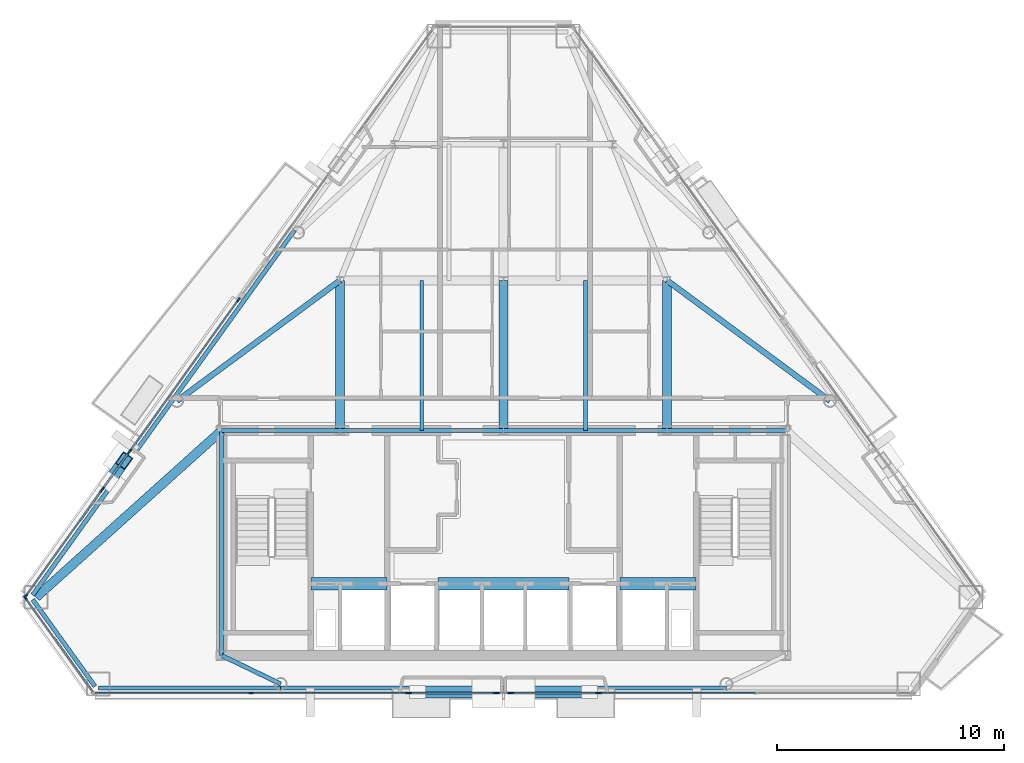
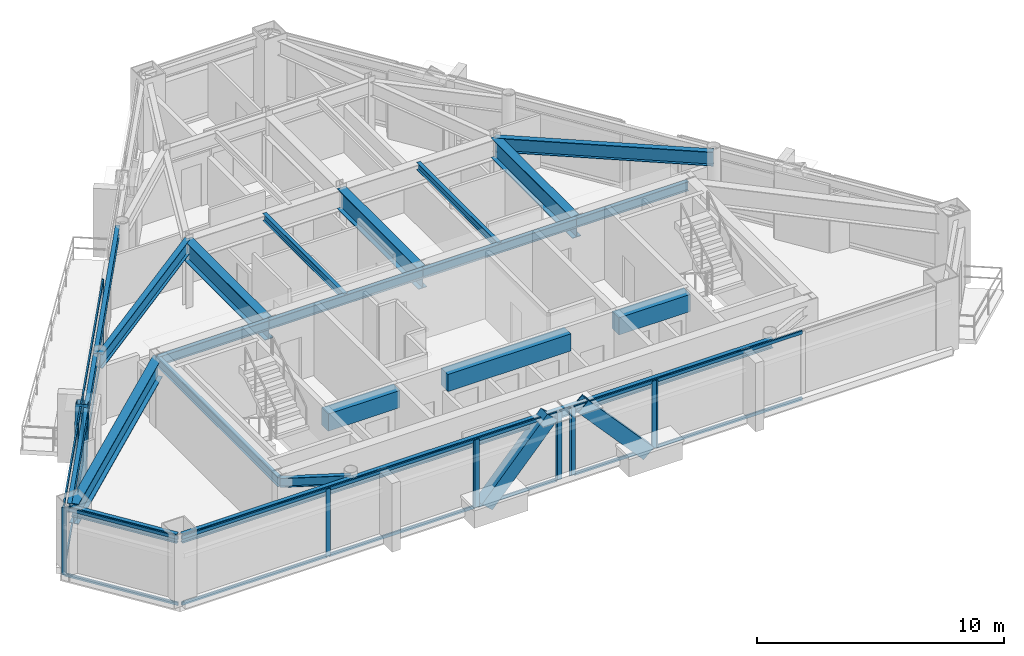
# One storey, part 3 of 12: 37 members, 22 beams, 9 elements without a shape of their own.
"""IFC4 building model written with IfcOpenShell, lengths in metres."""

from ifc_helpers import new_model, si_unit, direction, frame, origin, origin_2d, place, context, subcontext, project, spatial, rectangle, hollow_rectangle, i_section, extrude, material, layer, layer_set, material_profile, profile_set, type_object, element, aggregate, save


model = new_model("IFC4")

# Units and contexts
model_context = context("Model", 3, precision=1e-05, world=origin(), true_north=direction((0.0, 1.0)))
body_context = subcontext(model_context, "Body", "Model", "MODEL_VIEW")
ifc_project = project(units=[si_unit("LENGTHUNIT", "METRE"), si_unit("AREAUNIT", "SQUARE_METRE"), si_unit("VOLUMEUNIT", "CUBIC_METRE"), si_unit("PLANEANGLEUNIT", "RADIAN"), si_unit("MASSUNIT", "GRAM", prefix="KILO")], contexts=[model_context])

# Site, building, storey
site_placement = place(None, origin())
site = spatial("IfcSite", under=ifc_project, at=site_placement, CompositionType="ELEMENT")
building_placement = place(site_placement, origin())
building = spatial("IfcBuilding", under=site, at=building_placement, Name="Talgorran Terracotta Tower", CompositionType="ELEMENT")
storey_placement = place(building_placement, frame((0.0, 0.0, 221.699951171875)))
storey = spatial("IfcBuildingStorey", under=building, at=storey_placement, Name="L58", CompositionType="ELEMENT", Elevation=221.699951171875)

# Beams
ifc_material_1 = material(Name="Steel Grade 350 (350L0)", Category="steel")
ifc_material_profile_1 = material_profile(ifc_material_1, i_section(OverallWidth=0.39990234375, OverallDepth=1.0, WebThickness=0.01611328125, FlangeThickness=0.031005859375, at=origin_2d()), Name="1000WB296")
ifc_profile_set_1 = profile_set([ifc_material_profile_1], Name="Steel Grade 350 (350L0)")
beam_type_1 = type_object("IfcBeamType", Name="BM_1000WB296", PredefinedType="BEAM", material=ifc_profile_set_1)
for number, where, z_axis, x_axis, name in (
    (1, (-7.199951171875, -4.199951171875, 2.844970703125), (0.0, 1.0, 0.0), (-1.0, 0.0, 0.0), "L58 Floor Girder G01"),
    (2, (0.0, -4.199951171875, 2.844970703125), (0.0, 1.0, 0.0), (-1.0, 0.0, 0.0), "L58 Floor Girder G02"),
    (3, (7.199951171875, -4.199951171875, 2.844970703125), (0.0, 1.0, 0.0), (-1.0, 0.0, 0.0), "L58 Floor Girder G03"),
):
    element("IfcBeam", number, at=place(storey_placement, frame(where, z_axis=z_axis, x_axis=x_axis)), inside=storey, type_object=beam_type_1, Name=name, PredefinedType="BEAM", context=body_context, shape_type="SweptSolid", body=[
        extrude(i_section(OverallWidth=0.39990234375, OverallDepth=1.0, WebThickness=0.01611328125, FlangeThickness=0.031005859375, at=origin_2d()), origin(), (0.0, 0.0, 1.0), 6.599853515625),
    ])
beam_1_placement = place(storey_placement, frame((-12.39990234375, -4.199951171875, 2.844970703125), z_axis=(-0.743768255752, -0.668437567567, 0.0), x_axis=(0.668437567567, -0.743768255752, 0.0)))
element("IfcBeam", 4, at=beam_1_placement, inside=storey, type_object=beam_type_1, Name="L58 Floor Girder G17", PredefinedType="BEAM", context=body_context, shape_type="SweptSolid", body=[
    extrude(i_section(OverallWidth=0.39990234375, OverallDepth=1.0, WebThickness=0.01611328125, FlangeThickness=0.031005859375, at=origin_2d()), origin(), (0.0, 0.0, 1.0), 10.980224609375),
])
ifc_material_2 = material(Name="Steel S355 (300PLUS)", Category="steel")
ifc_material_profile_2 = material_profile(ifc_material_2, i_section(OverallWidth=0.25, OverallDepth=0.699951171875, WebThickness=0.011962890625, FlangeThickness=0.02392578125, at=origin_2d()), Name="700WB150")
ifc_profile_set_2 = profile_set([ifc_material_profile_2], Name="Steel S355 (300PLUS)")
beam_type_2 = type_object("IfcBeamType", Name="BM_700WB150", PredefinedType="BEAM", material=ifc_profile_set_2)
for number, where, z_axis, x_axis, name in (
    (5, (-7.199951171875, 2.39990234375, 2.9951171875), (-0.804042856359, -0.594571345708, 0.0), (0.594571345708, -0.804042856359, 0.0), "L58 Floor Girder G06"),
    (6, (7.199951171875, 2.39990234375, 2.9951171875), (0.804042856359, -0.594571345708, 0.0), (0.594571345708, 0.804042856359, 0.0), "L58 Floor Girder G07"),
):
    element("IfcBeam", number, at=place(storey_placement, frame(where, z_axis=z_axis, x_axis=x_axis)), inside=storey, type_object=beam_type_2, Name=name, PredefinedType="BEAM", context=body_context, shape_type="SweptSolid", body=[
        extrude(i_section(OverallWidth=0.25, OverallDepth=0.699951171875, WebThickness=0.011962890625, FlangeThickness=0.02392578125, at=origin_2d()), origin(), (0.0, 0.0, 1.0), 8.9091796875),
    ])
ifc_material_3 = material(Name="Concrete C50/60", Category="concrete")
ifc_material_profile_3 = material_profile(ifc_material_3, rectangle(XDim=0.550048828125, YDim=0.85009765625, at=origin_2d()), Name="RCCB550X850")
ifc_profile_set_3 = profile_set([ifc_material_profile_3], Name="Concrete C50/60")
beam_type_3 = type_object("IfcBeamType", Name="BM_CB_550X850", PredefinedType="LINTEL", material=ifc_profile_set_3)
beam_2_placement = place(storey_placement, frame((-8.47998046875, -10.949951171875, 2.920166015625), z_axis=(1.0, 0.0, 0.0), x_axis=(0.0, 1.0, 0.0)))
element("IfcBeam", 7, at=beam_2_placement, inside=storey, type_object=beam_type_3, Name="L58 Core Shear-Wall Coupling Beam CB1", PredefinedType="LINTEL", context=body_context, shape_type="SweptSolid", body=[
    extrude(rectangle(XDim=0.550048828125, YDim=0.85009765625, at=origin_2d()), origin(), (0.0, 0.0, 1.0), 3.35986328125),
])
beam_3_placement = place(storey_placement, frame((-2.8798828125, -10.949951171875, 2.920166015625), z_axis=(1.0, 0.0, 0.0), x_axis=(0.0, 1.0, 0.0)))
element("IfcBeam", 8, at=beam_3_placement, inside=storey, type_object=beam_type_3, Name="L58 Core Shear-Wall Coupling Beam CB2", PredefinedType="LINTEL", context=body_context, shape_type="SweptSolid", body=[
    extrude(rectangle(XDim=0.550048828125, YDim=0.85009765625, at=origin_2d()), origin(), (0.0, 0.0, 1.0), 5.759765625),
])
beam_4_placement = place(storey_placement, frame((5.1201171875, -10.949951171875, 2.920166015625), z_axis=(1.0, 0.0, 0.0), x_axis=(0.0, 1.0, 0.0)))
element("IfcBeam", 9, at=beam_4_placement, inside=storey, type_object=beam_type_3, Name="L58 Core Shear-Wall Coupling Beam CB3", PredefinedType="LINTEL", context=body_context, shape_type="SweptSolid", body=[
    extrude(rectangle(XDim=0.550048828125, YDim=0.85009765625, at=origin_2d()), origin(), (0.0, 0.0, 1.0), 3.35986328125),
])
ifc_material_profile_4 = material_profile(ifc_material_2, i_section(OverallWidth=0.17138671875, OverallDepth=0.355712890625, WebThickness=0.00732421875, FlangeThickness=0.011474609375, at=origin_2d()), Name="360UB50.7")
ifc_profile_set_4 = profile_set([ifc_material_profile_4], Name="Steel S355 (300PLUS)")
beam_type_4 = type_object("IfcBeamType", Name="BM_JS_360UB51", PredefinedType="JOIST", material=ifc_profile_set_4)
for number, where, z_axis, x_axis, name in (
    (10, (-3.60009765625, -4.199951171875, 3.167236328125), (0.0, 1.0, 0.0), (-1.0, 0.0, 0.0), "L58 Secondary Joist J01"),
    (11, (3.60009765625, -4.199951171875, 3.167236328125), (0.0, 1.0, 0.0), (-1.0, 0.0, 0.0), "L58 Secondary Joist J02"),
):
    element("IfcBeam", number, at=place(storey_placement, frame(where, z_axis=z_axis, x_axis=x_axis)), inside=storey, type_object=beam_type_4, Name=name, PredefinedType="JOIST", context=body_context, shape_type="SweptSolid", body=[
        extrude(i_section(OverallWidth=0.17138671875, OverallDepth=0.355712890625, WebThickness=0.00732421875, FlangeThickness=0.011474609375, at=origin_2d()), origin(), (0.0, 0.0, 1.0), 6.599853515625),
    ])
ifc_material_profile_5 = material_profile(ifc_material_2, i_section(OverallWidth=0.18994140625, OverallDepth=0.45703125, WebThickness=0.009033203125, FlangeThickness=0.014404296875, at=origin_2d()), Name="460UB74.6")
ifc_profile_set_5 = profile_set([ifc_material_profile_5], Name="Steel S355 (300PLUS)")
beam_type_5 = type_object("IfcBeamType", Name="BM_SP_460UB74", PredefinedType="SPANDREL", material=ifc_profile_set_5)
beam_5_placement = place(storey_placement, frame((-20.712890625, -11.64453125, 3.116455078125), z_axis=(0.583096756271, -0.812402715915, 0.0), x_axis=(0.812402715915, 0.583096756271, 0.0)))
element("IfcBeam", 12, at=beam_5_placement, inside=storey, type_object=beam_type_5, Name="L58 Perimeter Spandrel Beam MC1-MC2", PredefinedType="SPANDREL", context=body_context, shape_type="SweptSolid", body=[
    extrude(i_section(OverallWidth=0.18994140625, OverallDepth=0.45703125, WebThickness=0.009033203125, FlangeThickness=0.014404296875, at=origin_2d()), origin(), (0.0, 0.0, 1.0), 4.693115234375),
])
beam_6_placement = place(storey_placement, frame((-17.830078125, -15.5322265625, 3.116455078125), z_axis=(1.0, 0.0, 0.0), x_axis=(0.0, 1.0, 0.0)))
element("IfcBeam", 13, at=beam_6_placement, inside=storey, type_object=beam_type_5, Name="L58 Perimeter Spandrel Beam MC2-FC1", PredefinedType="SPANDREL", context=body_context, shape_type="SweptSolid", body=[
    extrude(i_section(OverallWidth=0.18994140625, OverallDepth=0.45703125, WebThickness=0.009033203125, FlangeThickness=0.014404296875, at=origin_2d()), origin(), (0.0, 0.0, 1.0), 8.0234375),
])
beam_7_placement = place(storey_placement, frame((-9.806640625, -15.5322265625, 3.116455078125), z_axis=(1.0, 0.0, 0.0), x_axis=(0.0, 1.0, 0.0)))
element("IfcBeam", 14, at=beam_7_placement, inside=storey, type_object=beam_type_5, Name="L58 Perimeter Spandrel Beam FC1-FC2", PredefinedType="SPANDREL", context=body_context, shape_type="SweptSolid", body=[
    extrude(i_section(OverallWidth=0.18994140625, OverallDepth=0.45703125, WebThickness=0.009033203125, FlangeThickness=0.014404296875, at=origin_2d()), origin(), (0.0, 0.0, 1.0), 19.61328125),
])
beam_8_placement = place(storey_placement, frame((-9.192626953125, 4.615478515625, 3.116455078125), z_axis=(-0.583100770976, -0.812399834372, 0.0), x_axis=(0.812399834372, -0.583100770976, 0.0)))
element("IfcBeam", 15, at=beam_8_placement, inside=storey, type_object=beam_type_5, Name="L58 Perimeter Spandrel Beam FC5-FC6", PredefinedType="SPANDREL", context=body_context, shape_type="SweptSolid", body=[
    extrude(i_section(OverallWidth=0.18994140625, OverallDepth=0.45703125, WebThickness=0.009033203125, FlangeThickness=0.014404296875, at=origin_2d()), origin(), (0.0, 0.0, 1.0), 9.118408203125),
])
beam_9_placement = place(storey_placement, frame((-14.509521484375, -2.792236328125, 3.116455078125), z_axis=(-0.583120966057, -0.812385338953, 0.0), x_axis=(0.812385338953, -0.583120966057, 0.0)))
element("IfcBeam", 16, at=beam_9_placement, inside=storey, type_object=beam_type_5, Name="L58 Perimeter Spandrel Beam FC6-MC1", PredefinedType="SPANDREL", context=body_context, shape_type="SweptSolid", body=[
    extrude(i_section(OverallWidth=0.18994140625, OverallDepth=0.45703125, WebThickness=0.009033203125, FlangeThickness=0.014404296875, at=origin_2d()), origin(), (0.0, 0.0, 1.0), 10.63818359375),
])
beam_10_placement = place(storey_placement, frame((-9.806640625, -15.352294921875, 3.116455078125), z_axis=(-0.900513862936, 0.434827302109, 0.0), x_axis=(-0.434827302109, -0.900513862936, 0.0)))
element("IfcBeam", 17, at=beam_10_placement, inside=storey, type_object=beam_type_5, Name="L58 South-West Core Tie Beam", PredefinedType="SPANDREL", context=body_context, shape_type="SweptSolid", body=[
    extrude(i_section(OverallWidth=0.18994140625, OverallDepth=0.45703125, WebThickness=0.009033203125, FlangeThickness=0.014404296875, at=origin_2d()), origin(), (0.0, 0.0, 1.0), 2.879638671875),
])
beam_11_placement = place(storey_placement, frame((-12.39990234375, -14.10009765625, 3.116455078125), z_axis=(0.0, 1.0, 0.0), x_axis=(-1.0, 0.0, 0.0)))
element("IfcBeam", 18, at=beam_11_placement, inside=storey, type_object=beam_type_5, Name="L58 Core Frame Beam CFW", PredefinedType="SPANDREL", context=body_context, shape_type="SweptSolid", body=[
    extrude(i_section(OverallWidth=0.18994140625, OverallDepth=0.45703125, WebThickness=0.009033203125, FlangeThickness=0.014404296875, at=origin_2d()), origin(), (0.0, 0.0, 1.0), 9.900146484375),
])
beam_12_placement = place(storey_placement, frame((-12.39990234375, -4.199951171875, 3.116455078125), z_axis=(1.0, 0.0, 0.0), x_axis=(0.0, 1.0, 0.0)))
element("IfcBeam", 19, at=beam_12_placement, inside=storey, type_object=beam_type_5, Name="L58 Core Frame Beam CFN1", PredefinedType="SPANDREL", context=body_context, shape_type="SweptSolid", body=[
    extrude(i_section(OverallWidth=0.18994140625, OverallDepth=0.45703125, WebThickness=0.009033203125, FlangeThickness=0.014404296875, at=origin_2d()), origin(), (0.0, 0.0, 1.0), 5.199951171875),
])
for number, where, z_axis, x_axis, name in (
    (20, (-7.199951171875, -4.199951171875, 3.116455078125), (1.0, 0.0, 0.0), (0.0, 1.0, 0.0), "L58 Core Frame Beam CFN2"),
    (21, (0.0, -4.199951171875, 3.116455078125), (1.0, 0.0, 0.0), (0.0, 1.0, 0.0), "L58 Core Frame Beam CFN3"),
):
    element("IfcBeam", number, at=place(storey_placement, frame(where, z_axis=z_axis, x_axis=x_axis)), inside=storey, type_object=beam_type_5, Name=name, PredefinedType="SPANDREL", context=body_context, shape_type="SweptSolid", body=[
        extrude(i_section(OverallWidth=0.18994140625, OverallDepth=0.45703125, WebThickness=0.009033203125, FlangeThickness=0.014404296875, at=origin_2d()), origin(), (0.0, 0.0, 1.0), 7.199951171875),
    ])
beam_13_placement = place(storey_placement, frame((7.199951171875, -4.199951171875, 3.116455078125), z_axis=(1.0, 0.0, 0.0), x_axis=(0.0, 1.0, 0.0)))
element("IfcBeam", 22, at=beam_13_placement, inside=storey, type_object=beam_type_5, Name="L58 Core Frame Beam CFN4", PredefinedType="SPANDREL", context=body_context, shape_type="SweptSolid", body=[
    extrude(i_section(OverallWidth=0.18994140625, OverallDepth=0.45703125, WebThickness=0.009033203125, FlangeThickness=0.014404296875, at=origin_2d()), origin(), (0.0, 0.0, 1.0), 5.199951171875),
])

# Members
ifc_material_profile_6 = material_profile(ifc_material_1, hollow_rectangle(XDim=0.52001953125, YDim=0.659912109375, WallThickness=0.034912109375, at=origin_2d()), Name="WBOX660X520X35")
ifc_profile_set_6 = profile_set([ifc_material_profile_6], Name="Steel Grade 350 (350L0)")
member_type_1 = type_object("IfcMemberType", Name="MB_MEGA_660", PredefinedType="BRACE", material=ifc_profile_set_6)
for number, where, z_axis, x_axis, name in (
    (23, (-3.783203125, -15.712158203125, -0.02490234375), (0.669808027282, 0.0, 0.742534313408), (0.0, 1.0, 0.0), "L58 Exterior Face Mega-Brace MB-3 (SWF)"),
    (24, (3.783203125, -15.712158203125, -0.02490234375), (-0.669808027282, 0.0, 0.742534313408), (0.0, -1.0, 0.0), "L58 Exterior Face Mega-Brace MB-3 (SEF)"),
):
    element("IfcMember", number, at=place(storey_placement, frame(where, z_axis=z_axis, x_axis=x_axis)), inside=storey, type_object=member_type_1, Name=name, PredefinedType="BRACE", context=body_context, shape_type="SweptSolid", body=[
        extrude(hollow_rectangle(XDim=0.52001953125, YDim=0.659912109375, WallThickness=0.034912109375, at=origin_2d()), origin(), (0.0, 0.0, 1.0), 4.572265625),
    ])
member_1_placement = place(storey_placement, frame((-17.359619140625, -6.453857421875, -0.02490234375), z_axis=(0.185817679429, 0.258754186029, 0.947901925952), x_axis=(-0.812256146727, 0.583300910426, 0.0)))
element("IfcMember", 25, at=member_1_placement, inside=storey, type_object=member_type_1, Name="L58 Exterior Face Mega-Brace MB-3 (NWL)", PredefinedType="BRACE", context=body_context, shape_type="SweptSolid", body=[
    extrude(hollow_rectangle(XDim=0.52001953125, YDim=0.659912109375, WallThickness=0.034912109375, at=origin_2d()), origin(), (0.0, 0.0, 1.0), 3.58154296875),
])

# Curtain wall, member
ifc_material_4 = material(Name="High-Wind Unitised Glazing", Category="glass")
ifc_layer = layer(ifc_material_4, 0.2099609375, Name="CW_SYS3_RES_HIGH")
ifc_layer_set = layer_set([ifc_layer], Name="High-Wind Unitised Glazing")
curtain_wall_type = type_object("IfcCurtainWallType", Name="CW_SYS3_RES_HIGH", PredefinedType="NOTDEFINED", material=ifc_layer_set)
curtain_wall_1_placement = place(storey_placement, origin())
curtain_wall_1 = element("IfcCurtainWall", 26, at=curtain_wall_1_placement, inside=storey, type_object=curtain_wall_type, Name="CW-L58-F0", PredefinedType="NOTDEFINED")
ifc_material_5 = material(Name="Architectural Aluminium 6063-T6", Category="aluminium")
ifc_material_profile_7 = material_profile(ifc_material_5, rectangle(XDim=0.070068359375, YDim=0.199951171875, at=origin_2d()), Name="CWM70X200")
ifc_profile_set_7 = profile_set([ifc_material_profile_7], Name="Architectural Aluminium 6063-T6")
member_type_2 = type_object("IfcMemberType", Name="MUL_70X200", PredefinedType="MULLION", material=ifc_profile_set_7)
member_2_placement = place(storey_placement, frame((-21.03857421875, -11.568115234375, 0.0), z_axis=(0.0, 0.0, 1.0), x_axis=(0.812390492916, 0.583113785654, 0.0)))
member_2 = element("IfcMember", 27, at=member_2_placement, type_object=member_type_2, Name="CW-L58-0 mullion 1", PredefinedType="MULLION", context=body_context, shape_type="SweptSolid", body=[
    extrude(rectangle(XDim=0.070068359375, YDim=0.199951171875, at=origin_2d()), origin(), (0.0, 0.0, 1.0), 3.344970703125),
])

# Curtain wall, members
curtain_wall_2_placement = place(storey_placement, origin())
curtain_wall_2 = element("IfcCurtainWall", 28, at=curtain_wall_2_placement, inside=storey, type_object=curtain_wall_type, Name="CW-L58-F1", PredefinedType="NOTDEFINED")
member_3_placement = place(storey_placement, frame((-11.109130859375, -15.752197265625, 0.0), z_axis=(0.0, 0.0, 1.0), x_axis=(0.0, 1.0, 0.0)))
member_3 = element("IfcMember", 29, at=member_3_placement, type_object=member_type_2, Name="CW-L58-1 mullion 2", PredefinedType="MULLION", context=body_context, shape_type="SweptSolid", body=[
    extrude(rectangle(XDim=0.070068359375, YDim=0.199951171875, at=origin_2d()), origin(), (0.0, 0.0, 1.0), 3.344970703125),
])
member_4_placement = place(storey_placement, frame((-4.218017578125, -15.752197265625, 0.0), z_axis=(0.0, 0.0, 1.0), x_axis=(0.0, 1.0, 0.0)))
member_4 = element("IfcMember", 30, at=member_4_placement, type_object=member_type_2, Name="CW-L58-1 mullion 3", PredefinedType="MULLION", context=body_context, shape_type="SweptSolid", body=[
    extrude(rectangle(XDim=0.070068359375, YDim=0.199951171875, at=origin_2d()), origin(), (0.0, 0.0, 1.0), 3.344970703125),
])

curtain_wall_3_placement = place(storey_placement, origin())
curtain_wall_3 = element("IfcCurtainWall", 31, at=curtain_wall_3_placement, inside=storey, type_object=curtain_wall_type, Name="CW-L58-F1B", PredefinedType="NOTDEFINED")
member_5_placement = place(storey_placement, frame((-4.13818359375, -15.752197265625, 0.0), z_axis=(0.0, 0.0, 1.0), x_axis=(0.0, 1.0, 0.0)))
member_5 = element("IfcMember", 32, at=member_5_placement, type_object=member_type_2, Name="CW-L58-1B mullion 1", PredefinedType="MULLION", context=body_context, shape_type="SweptSolid", body=[
    extrude(rectangle(XDim=0.070068359375, YDim=0.199951171875, at=origin_2d()), origin(), (0.0, 0.0, 1.0), 3.344970703125),
])
member_6_placement = place(storey_placement, frame((-0.365478515625, -15.752197265625, 0.0), z_axis=(0.0, 0.0, 1.0), x_axis=(0.0, 1.0, 0.0)))
member_6 = element("IfcMember", 33, at=member_6_placement, type_object=member_type_2, Name="CW-L58-1B mullion 2", PredefinedType="MULLION", context=body_context, shape_type="SweptSolid", body=[
    extrude(rectangle(XDim=0.070068359375, YDim=0.199951171875, at=origin_2d()), origin(), (0.0, 0.0, 1.0), 3.344970703125),
])

curtain_wall_4_placement = place(storey_placement, origin())
curtain_wall_4 = element("IfcCurtainWall", 34, at=curtain_wall_4_placement, inside=storey, type_object=curtain_wall_type, Name="CW-L58-F1C", PredefinedType="NOTDEFINED")
member_7_placement = place(storey_placement, frame((-0.28564453125, -15.752197265625, 0.0), z_axis=(0.0, 0.0, 1.0), x_axis=(0.0, 1.0, 0.0)))
member_7 = element("IfcMember", 35, at=member_7_placement, type_object=member_type_2, Name="CW-L58-1C mullion 1", PredefinedType="MULLION", context=body_context, shape_type="SweptSolid", body=[
    extrude(rectangle(XDim=0.070068359375, YDim=0.199951171875, at=origin_2d()), origin(), (0.0, 0.0, 1.0), 3.344970703125),
])
member_8_placement = place(storey_placement, frame((0.28564453125, -15.752197265625, 0.0), z_axis=(0.0, 0.0, 1.0), x_axis=(0.0, 1.0, 0.0)))
member_8 = element("IfcMember", 36, at=member_8_placement, type_object=member_type_2, Name="CW-L58-1C mullion 2", PredefinedType="MULLION", context=body_context, shape_type="SweptSolid", body=[
    extrude(rectangle(XDim=0.070068359375, YDim=0.199951171875, at=origin_2d()), origin(), (0.0, 0.0, 1.0), 3.344970703125),
])
aggregate(curtain_wall_4, [member_7, member_8])

curtain_wall_5_placement = place(storey_placement, origin())
curtain_wall_5 = element("IfcCurtainWall", 37, at=curtain_wall_5_placement, inside=storey, type_object=curtain_wall_type, Name="CW-L58-F1D", PredefinedType="NOTDEFINED")
member_9_placement = place(storey_placement, frame((0.365478515625, -15.752197265625, 0.0), z_axis=(0.0, 0.0, 1.0), x_axis=(0.0, 1.0, 0.0)))
member_9 = element("IfcMember", 38, at=member_9_placement, type_object=member_type_2, Name="CW-L58-1D mullion 1", PredefinedType="MULLION", context=body_context, shape_type="SweptSolid", body=[
    extrude(rectangle(XDim=0.070068359375, YDim=0.199951171875, at=origin_2d()), origin(), (0.0, 0.0, 1.0), 3.344970703125),
])
member_10_placement = place(storey_placement, frame((4.13818359375, -15.752197265625, 0.0), z_axis=(0.0, 0.0, 1.0), x_axis=(0.0, 1.0, 0.0)))
member_10 = element("IfcMember", 39, at=member_10_placement, type_object=member_type_2, Name="CW-L58-1D mullion 2", PredefinedType="MULLION", context=body_context, shape_type="SweptSolid", body=[
    extrude(rectangle(XDim=0.070068359375, YDim=0.199951171875, at=origin_2d()), origin(), (0.0, 0.0, 1.0), 3.344970703125),
])

# Curtain wall, member
curtain_wall_6_placement = place(storey_placement, origin())
curtain_wall_6 = element("IfcCurtainWall", 40, at=curtain_wall_6_placement, inside=storey, type_object=curtain_wall_type, Name="CW-L58-F1E", PredefinedType="NOTDEFINED")
member_11_placement = place(storey_placement, frame((4.218017578125, -15.752197265625, 0.0), z_axis=(0.0, 0.0, 1.0), x_axis=(0.0, 1.0, 0.0)))
member_11 = element("IfcMember", 41, at=member_11_placement, type_object=member_type_2, Name="CW-L58-1E mullion 1", PredefinedType="MULLION", context=body_context, shape_type="SweptSolid", body=[
    extrude(rectangle(XDim=0.070068359375, YDim=0.199951171875, at=origin_2d()), origin(), (0.0, 0.0, 1.0), 3.344970703125),
])

# Curtain wall, members
curtain_wall_7_placement = place(storey_placement, origin())
curtain_wall_7 = element("IfcCurtainWall", 42, at=curtain_wall_7_placement, inside=storey, type_object=curtain_wall_type, Name="CW-L58-F61", PredefinedType="NOTDEFINED")
member_12_placement = place(storey_placement, frame((-11.663818359375, 1.550048828125, 0.0), z_axis=(0.0, 0.0, 1.0), x_axis=(0.812386455956, -0.58311940988, 0.0)))
member_12 = element("IfcMember", 43, at=member_12_placement, type_object=member_type_2, Name="CW-L58-61 mullion 1", PredefinedType="MULLION", context=body_context, shape_type="SweptSolid", body=[
    extrude(rectangle(XDim=0.070068359375, YDim=0.199951171875, at=origin_2d()), origin(), (0.0, 0.0, 1.0), 3.344970703125),
])
member_13_placement = place(storey_placement, frame((-16.43359375, -5.09521484375, 0.0), z_axis=(0.0, 0.0, 1.0), x_axis=(0.812386455956, -0.58311940988, 0.0)))
member_13 = element("IfcMember", 44, at=member_13_placement, type_object=member_type_2, Name="CW-L58-61 mullion 2", PredefinedType="MULLION", context=body_context, shape_type="SweptSolid", body=[
    extrude(rectangle(XDim=0.070068359375, YDim=0.199951171875, at=origin_2d()), origin(), (0.0, 0.0, 1.0), 3.344970703125),
])

curtain_wall_8_placement = place(storey_placement, origin())
curtain_wall_8 = element("IfcCurtainWall", 45, at=curtain_wall_8_placement, inside=storey, type_object=curtain_wall_type, Name="CW-L58-F61B", PredefinedType="NOTDEFINED")
member_14_placement = place(storey_placement, frame((-16.480224609375, -5.16015625, 0.0), z_axis=(0.0, 0.0, 1.0), x_axis=(0.812387522114, -0.583117924535, 0.0)))
member_14 = element("IfcMember", 46, at=member_14_placement, type_object=member_type_2, Name="CW-L58-61B mullion 1", PredefinedType="MULLION", context=body_context, shape_type="SweptSolid", body=[
    extrude(rectangle(XDim=0.070068359375, YDim=0.199951171875, at=origin_2d()), origin(), (0.0, 0.0, 1.0), 3.344970703125),
])
member_15_placement = place(storey_placement, frame((-17.638427734375, -6.774169921875, 0.0), z_axis=(0.0, 0.0, 1.0), x_axis=(0.812387522114, -0.583117924535, 0.0)))
member_15 = element("IfcMember", 47, at=member_15_placement, type_object=member_type_2, Name="CW-L58-61B mullion 2", PredefinedType="MULLION", context=body_context, shape_type="SweptSolid", body=[
    extrude(rectangle(XDim=0.070068359375, YDim=0.199951171875, at=origin_2d()), origin(), (0.0, 0.0, 1.0), 3.344970703125),
])

curtain_wall_9_placement = place(storey_placement, origin())
curtain_wall_9 = element("IfcCurtainWall", 48, at=curtain_wall_9_placement, inside=storey, type_object=curtain_wall_type, Name="CW-L58-F61C", PredefinedType="NOTDEFINED")
member_16_placement = place(storey_placement, frame((-17.685302734375, -6.839111328125, 0.0), z_axis=(0.0, 0.0, 1.0), x_axis=(0.812393069301, -0.583110196234, 0.0)))
member_16 = element("IfcMember", 49, at=member_16_placement, type_object=member_type_2, Name="CW-L58-61C mullion 1", PredefinedType="MULLION", context=body_context, shape_type="SweptSolid", body=[
    extrude(rectangle(XDim=0.070068359375, YDim=0.199951171875, at=origin_2d()), origin(), (0.0, 0.0, 1.0), 3.344970703125),
])
member_17_placement = place(storey_placement, frame((-21.015380859375, -11.478759765625, 0.0), z_axis=(0.0, 0.0, 1.0), x_axis=(0.812393069301, -0.583110196234, 0.0)))
member_17 = element("IfcMember", 50, at=member_17_placement, type_object=member_type_2, Name="CW-L58-61C mullion 2", PredefinedType="MULLION", context=body_context, shape_type="SweptSolid", body=[
    extrude(rectangle(XDim=0.070068359375, YDim=0.199951171875, at=origin_2d()), origin(), (0.0, 0.0, 1.0), 3.344970703125),
])

# Member
ifc_material_profile_8 = material_profile(ifc_material_5, rectangle(XDim=0.070068359375, YDim=0.159912109375, at=origin_2d()), Name="CWT70X160")
ifc_profile_set_8 = profile_set([ifc_material_profile_8], Name="Architectural Aluminium 6063-T6")
member_type_3 = type_object("IfcMemberType", Name="TRN_70X160", PredefinedType="USERDEFINED", material=ifc_profile_set_8)
member_18_placement = place(storey_placement, frame((-21.018310546875, -11.596435546875, 0.03515625), z_axis=(0.583122452768, -0.812384271806, 0.0), x_axis=(0.812384271806, 0.583122452768, 0.0)))
member_18 = element("IfcMember", 51, at=member_18_placement, type_object=member_type_3, Name="CW-L58-0 transom 1.1", ObjectType="TRANSOM", PredefinedType="USERDEFINED", context=body_context, shape_type="SweptSolid", body=[
    extrude(rectangle(XDim=0.070068359375, YDim=0.159912109375, at=origin_2d()), origin(), (0.0, 0.0, 1.0), 5.04541015625),
])

member_19_placement = place(storey_placement, frame((-21.018310546875, -11.596435546875, 3.31005859375), z_axis=(0.583122452768, -0.812384271806, 0.0), x_axis=(0.812384271806, 0.583122452768, 0.0)))
member_19 = element("IfcMember", 52, at=member_19_placement, type_object=member_type_3, Name="CW-L58-0 transom 1.2", ObjectType="TRANSOM", PredefinedType="USERDEFINED", context=body_context, shape_type="SweptSolid", body=[
    extrude(rectangle(XDim=0.070068359375, YDim=0.159912109375, at=origin_2d()), origin(), (0.0, 0.0, 1.0), 5.04541015625),
])

aggregate(curtain_wall_1, [member_2, member_18, member_19])

member_20_placement = place(storey_placement, frame((-17.96533203125, -15.752197265625, 0.03515625), z_axis=(1.0, 0.0, 0.0), x_axis=(0.0, 1.0, 0.0)))
member_20 = element("IfcMember", 53, at=member_20_placement, type_object=member_type_3, Name="CW-L58-1 transom 1.1", ObjectType="TRANSOM", PredefinedType="USERDEFINED", context=body_context, shape_type="SweptSolid", body=[
    extrude(rectangle(XDim=0.070068359375, YDim=0.159912109375, at=origin_2d()), origin(), (0.0, 0.0, 1.0), 6.821044921875),
])

member_21_placement = place(storey_placement, frame((-17.96533203125, -15.752197265625, 3.31005859375), z_axis=(1.0, 0.0, 0.0), x_axis=(0.0, 1.0, 0.0)))
member_21 = element("IfcMember", 54, at=member_21_placement, type_object=member_type_3, Name="CW-L58-1 transom 1.2", ObjectType="TRANSOM", PredefinedType="USERDEFINED", context=body_context, shape_type="SweptSolid", body=[
    extrude(rectangle(XDim=0.070068359375, YDim=0.159912109375, at=origin_2d()), origin(), (0.0, 0.0, 1.0), 6.821044921875),
])

member_22_placement = place(storey_placement, frame((-11.07421875, -15.752197265625, 0.03515625), z_axis=(1.0, 0.0, 0.0), x_axis=(0.0, 1.0, 0.0)))
member_22 = element("IfcMember", 55, at=member_22_placement, type_object=member_type_3, Name="CW-L58-1 transom 2.1", ObjectType="TRANSOM", PredefinedType="USERDEFINED", context=body_context, shape_type="SweptSolid", body=[
    extrude(rectangle(XDim=0.070068359375, YDim=0.159912109375, at=origin_2d()), origin(), (0.0, 0.0, 1.0), 6.821044921875),
])

member_23_placement = place(storey_placement, frame((-11.07421875, -15.752197265625, 3.31005859375), z_axis=(1.0, 0.0, 0.0), x_axis=(0.0, 1.0, 0.0)))
member_23 = element("IfcMember", 56, at=member_23_placement, type_object=member_type_3, Name="CW-L58-1 transom 2.2", ObjectType="TRANSOM", PredefinedType="USERDEFINED", context=body_context, shape_type="SweptSolid", body=[
    extrude(rectangle(XDim=0.070068359375, YDim=0.159912109375, at=origin_2d()), origin(), (0.0, 0.0, 1.0), 6.821044921875),
])

aggregate(curtain_wall_2, [member_3, member_4, member_20, member_21, member_22, member_23])

member_24_placement = place(storey_placement, frame((-4.10302734375, -15.752197265625, 0.03515625), z_axis=(1.0, 0.0, 0.0), x_axis=(0.0, 1.0, 0.0)))
member_24 = element("IfcMember", 57, at=member_24_placement, type_object=member_type_3, Name="CW-L58-1B transom 1.1", ObjectType="TRANSOM", PredefinedType="USERDEFINED", context=body_context, shape_type="SweptSolid", body=[
    extrude(rectangle(XDim=0.070068359375, YDim=0.159912109375, at=origin_2d()), origin(), (0.0, 0.0, 1.0), 3.702392578125),
])

member_25_placement = place(storey_placement, frame((-4.10302734375, -15.752197265625, 3.31005859375), z_axis=(1.0, 0.0, 0.0), x_axis=(0.0, 1.0, 0.0)))
member_25 = element("IfcMember", 58, at=member_25_placement, type_object=member_type_3, Name="CW-L58-1B transom 1.2", ObjectType="TRANSOM", PredefinedType="USERDEFINED", context=body_context, shape_type="SweptSolid", body=[
    extrude(rectangle(XDim=0.070068359375, YDim=0.159912109375, at=origin_2d()), origin(), (0.0, 0.0, 1.0), 3.702392578125),
])

aggregate(curtain_wall_3, [member_5, member_6, member_24, member_25])

member_26_placement = place(storey_placement, frame((0.400634765625, -15.752197265625, 0.03515625), z_axis=(1.0, 0.0, 0.0), x_axis=(0.0, 1.0, 0.0)))
member_26 = element("IfcMember", 59, at=member_26_placement, type_object=member_type_3, Name="CW-L58-1D transom 1.1", ObjectType="TRANSOM", PredefinedType="USERDEFINED", context=body_context, shape_type="SweptSolid", body=[
    extrude(rectangle(XDim=0.070068359375, YDim=0.159912109375, at=origin_2d()), origin(), (0.0, 0.0, 1.0), 3.702392578125),
])

member_27_placement = place(storey_placement, frame((0.400634765625, -15.752197265625, 3.31005859375), z_axis=(1.0, 0.0, 0.0), x_axis=(0.0, 1.0, 0.0)))
member_27 = element("IfcMember", 60, at=member_27_placement, type_object=member_type_3, Name="CW-L58-1D transom 1.2", ObjectType="TRANSOM", PredefinedType="USERDEFINED", context=body_context, shape_type="SweptSolid", body=[
    extrude(rectangle(XDim=0.070068359375, YDim=0.159912109375, at=origin_2d()), origin(), (0.0, 0.0, 1.0), 3.702392578125),
])

aggregate(curtain_wall_5, [member_9, member_10, member_26, member_27])

member_28_placement = place(storey_placement, frame((4.253173828125, -15.752197265625, 0.03515625), z_axis=(1.0, 0.0, 0.0), x_axis=(0.0, 1.0, 0.0)))
member_28 = element("IfcMember", 61, at=member_28_placement, type_object=member_type_3, Name="CW-L58-1E transom 1.1", ObjectType="TRANSOM", PredefinedType="USERDEFINED", context=body_context, shape_type="SweptSolid", body=[
    extrude(rectangle(XDim=0.070068359375, YDim=0.159912109375, at=origin_2d()), origin(), (0.0, 0.0, 1.0), 6.821044921875),
])

member_29_placement = place(storey_placement, frame((4.253173828125, -15.752197265625, 3.31005859375), z_axis=(1.0, 0.0, 0.0), x_axis=(0.0, 1.0, 0.0)))
member_29 = element("IfcMember", 62, at=member_29_placement, type_object=member_type_3, Name="CW-L58-1E transom 1.2", ObjectType="TRANSOM", PredefinedType="USERDEFINED", context=body_context, shape_type="SweptSolid", body=[
    extrude(rectangle(XDim=0.070068359375, YDim=0.159912109375, at=origin_2d()), origin(), (0.0, 0.0, 1.0), 6.821044921875),
])

aggregate(curtain_wall_6, [member_11, member_28, member_29])

member_30_placement = place(storey_placement, frame((-11.68408203125, 1.521484375, 0.03515625), z_axis=(-0.583130375652, -0.812378584769, 0.0), x_axis=(0.812378584769, -0.583130375652, 0.0)))
member_30 = element("IfcMember", 63, at=member_30_placement, type_object=member_type_3, Name="CW-L58-61 transom 1.1", ObjectType="TRANSOM", PredefinedType="USERDEFINED", context=body_context, shape_type="SweptSolid", body=[
    extrude(rectangle(XDim=0.070068359375, YDim=0.159912109375, at=origin_2d()), origin(), (0.0, 0.0, 1.0), 8.109619140625),
])

member_31_placement = place(storey_placement, frame((-11.68408203125, 1.521484375, 3.31005859375), z_axis=(-0.583130375652, -0.812378584769, 0.0), x_axis=(0.812378584769, -0.583130375652, 0.0)))
member_31 = element("IfcMember", 64, at=member_31_placement, type_object=member_type_3, Name="CW-L58-61 transom 1.2", ObjectType="TRANSOM", PredefinedType="USERDEFINED", context=body_context, shape_type="SweptSolid", body=[
    extrude(rectangle(XDim=0.070068359375, YDim=0.159912109375, at=origin_2d()), origin(), (0.0, 0.0, 1.0), 8.109619140625),
])

aggregate(curtain_wall_7, [member_12, member_13, member_30, member_31])

member_32_placement = place(storey_placement, frame((-16.50048828125, -5.188720703125, 0.03515625), z_axis=(-0.583176607776, -0.812345397071, 0.0), x_axis=(0.812345397071, -0.583176607776, 0.0)))
member_32 = element("IfcMember", 65, at=member_32_placement, type_object=member_type_3, Name="CW-L58-61B transom 1.1", ObjectType="TRANSOM", PredefinedType="USERDEFINED", context=body_context, shape_type="SweptSolid", body=[
    extrude(rectangle(XDim=0.070068359375, YDim=0.159912109375, at=origin_2d()), origin(), (0.0, 0.0, 1.0), 1.91650390625),
])

member_33_placement = place(storey_placement, frame((-16.50048828125, -5.188720703125, 3.31005859375), z_axis=(-0.583176607776, -0.812345397071, 0.0), x_axis=(0.812345397071, -0.583176607776, 0.0)))
member_33 = element("IfcMember", 66, at=member_33_placement, type_object=member_type_3, Name="CW-L58-61B transom 1.2", ObjectType="TRANSOM", PredefinedType="USERDEFINED", context=body_context, shape_type="SweptSolid", body=[
    extrude(rectangle(XDim=0.070068359375, YDim=0.159912109375, at=origin_2d()), origin(), (0.0, 0.0, 1.0), 1.91650390625),
])

aggregate(curtain_wall_8, [member_14, member_15, member_32, member_33])

member_34_placement = place(storey_placement, frame((-17.70556640625, -6.867431640625, 0.03515625), z_axis=(-0.583103527408, -0.812397855933, 0.0), x_axis=(0.812397855933, -0.583103527408, 0.0)))
member_34 = element("IfcMember", 67, at=member_34_placement, type_object=member_type_3, Name="CW-L58-61C transom 1.1", ObjectType="TRANSOM", PredefinedType="USERDEFINED", context=body_context, shape_type="SweptSolid", body=[
    extrude(rectangle(XDim=0.070068359375, YDim=0.159912109375, at=origin_2d()), origin(), (0.0, 0.0, 1.0), 5.64111328125),
])

member_35_placement = place(storey_placement, frame((-17.70556640625, -6.867431640625, 3.31005859375), z_axis=(-0.583103527408, -0.812397855933, 0.0), x_axis=(0.812397855933, -0.583103527408, 0.0)))
member_35 = element("IfcMember", 68, at=member_35_placement, type_object=member_type_3, Name="CW-L58-61C transom 1.2", ObjectType="TRANSOM", PredefinedType="USERDEFINED", context=body_context, shape_type="SweptSolid", body=[
    extrude(rectangle(XDim=0.070068359375, YDim=0.159912109375, at=origin_2d()), origin(), (0.0, 0.0, 1.0), 5.64111328125),
])

aggregate(curtain_wall_9, [member_16, member_17, member_34, member_35])

save(model, "model.ifc")
